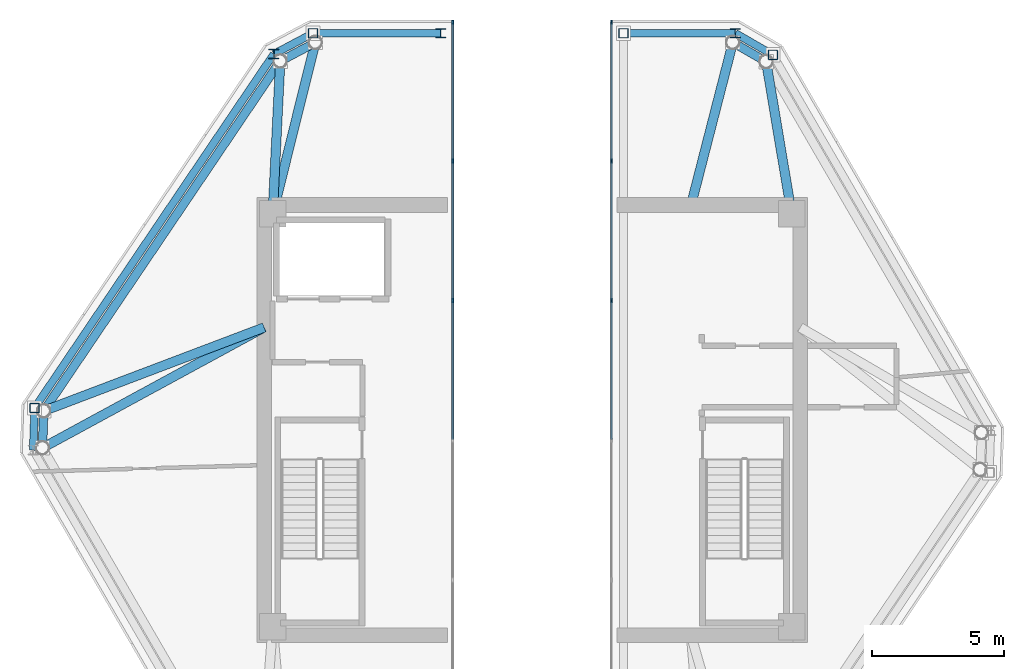
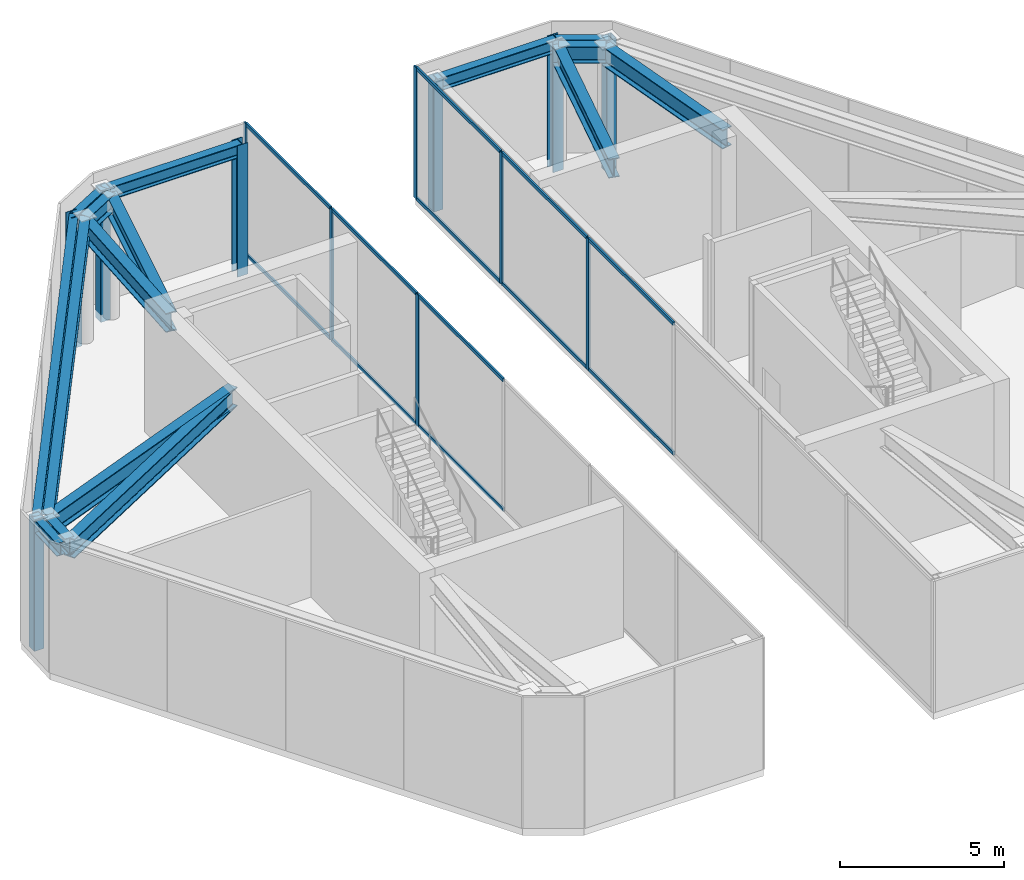
# One storey, part 4 of 8: 25 members, 16 beams, 2 elements without a shape of their own.
"""IFC4 building model written with IfcOpenShell, lengths in metres."""

from ifc_helpers import new_model, si_unit, direction, frame, origin, origin_2d, place, context, subcontext, project, spatial, rectangle, hollow_rectangle, i_section, extrude, source, transform, mapped, material, layer, layer_set, material_profile, profile_set, type_object, type_shapes, element, aggregate, save


model = new_model("IFC4")

# Units and contexts
model_context = context("Model", 3, precision=1e-05, world=origin(), true_north=direction((0.0, 1.0)))
body_context = subcontext(model_context, "Body", "Model", "MODEL_VIEW")
ifc_project = project(units=[si_unit("LENGTHUNIT", "METRE"), si_unit("AREAUNIT", "SQUARE_METRE"), si_unit("VOLUMEUNIT", "CUBIC_METRE"), si_unit("PLANEANGLEUNIT", "RADIAN"), si_unit("MASSUNIT", "GRAM", prefix="KILO")], contexts=[model_context])

# Site, building, storey
site_placement = place(None, origin())
site = spatial("IfcSite", under=ifc_project, at=site_placement, CompositionType="ELEMENT")
building_placement = place(site_placement, origin())
building = spatial("IfcBuilding", under=site, at=building_placement, Name="Durnholm Broadcast Tower", CompositionType="ELEMENT")
storey_placement = place(building_placement, frame((0.0, 0.0, 282.10009765625)))
storey = spatial("IfcBuildingStorey", under=building, at=storey_placement, Name="L78", CompositionType="ELEMENT", Elevation=282.10009765625)

# Beams
ifc_material_1 = material(Name="Steel ASTM A992 Grade 50", Category="steel")
ifc_material_profile_1 = material_profile(ifc_material_1, i_section(OverallWidth=0.3251953125, OverallDepth=0.6162109375, WebThickness=0.013916015625, FlangeThickness=0.021484375, FilletRadius=0.02783203125, at=origin_2d()), Name="W24X117")
ifc_profile_set_1 = profile_set([ifc_material_profile_1], Name="Steel ASTM A992 Grade 50")
beam_type_1 = type_object("IfcBeamType", Name="STL-SP-W24X117", PredefinedType="SPANDREL", material=ifc_profile_set_1)
shared_shape_1 = source(origin(), body_context, "Body", "SweptSolid", [
    extrude(i_section(OverallWidth=0.3251953125, OverallDepth=0.6162109375, WebThickness=0.013916015625, FlangeThickness=0.021484375, FilletRadius=0.02783203125, at=origin_2d()), origin(), (0.0, 0.0, 1.0), 1.39453125),
])
beam_1_placement = place(storey_placement, frame((-18.494384765625, -1.0478515625, 4.296875), z_axis=(0.034486393061, 0.999405167434, 0.0), x_axis=(-0.999405167434, 0.034486393061, 0.0)))
element("IfcBeam", 1, at=beam_1_placement, inside=storey, type_object=beam_type_1, Name="L78 perimeter spandrel girder 02", PredefinedType="SPANDREL", context=body_context, shape_type="MappedRepresentation", body=[
    mapped(shared_shape_1, transform((0.0, 0.0, 0.0), x_axis=(1.0, 0.0, 0.0), y_axis=(0.0, 1.0, 0.0), z_axis=(0.0, 0.0, 1.0), scale=1.0)),
])
shared_shape_2 = source(origin(), body_context, "Body", "SweptSolid", [
    extrude(i_section(OverallWidth=0.3251953125, OverallDepth=0.6162109375, WebThickness=0.013916015625, FlangeThickness=0.021484375, FilletRadius=0.02783203125, at=origin_2d()), origin(), (0.0, 0.0, 1.0), 15.947265625),
])
beam_2_placement = place(storey_placement, frame((-18.4462890625, 0.345947265625, 4.296875), z_axis=(0.560062212489, 0.828450552623, 0.0), x_axis=(-0.828450552623, 0.560062212489, 0.0)))
element("IfcBeam", 2, at=beam_2_placement, inside=storey, type_object=beam_type_1, Name="L78 perimeter spandrel girder 03", PredefinedType="SPANDREL", context=body_context, shape_type="MappedRepresentation", body=[
    mapped(shared_shape_2, transform((0.0, 0.0, 0.0), x_axis=(1.0, 0.0, 0.0), y_axis=(0.0, 1.0, 0.0), z_axis=(0.0, 0.0, 1.0), scale=1.0)),
])
shared_shape_3 = source(origin(), body_context, "Body", "SweptSolid", [
    extrude(i_section(OverallWidth=0.3251953125, OverallDepth=0.6162109375, WebThickness=0.013916015625, FlangeThickness=0.021484375, FilletRadius=0.02783203125, at=origin_2d()), origin(), (0.0, 0.0, 1.0), 1.502685546875),
])
beam_3_placement = place(storey_placement, frame((-9.514892578125, 13.557373046875, 4.296875), z_axis=(0.883241909673, 0.468917614296, 0.0), x_axis=(-0.468917614296, 0.883241909673, 0.0)))
element("IfcBeam", 3, at=beam_3_placement, inside=storey, type_object=beam_type_1, Name="L78 perimeter spandrel girder 04", PredefinedType="SPANDREL", context=body_context, shape_type="MappedRepresentation", body=[
    mapped(shared_shape_3, transform((0.0, 0.0, 0.0), x_axis=(1.0, 0.0, 0.0), y_axis=(0.0, 1.0, 0.0), z_axis=(0.0, 0.0, 1.0), scale=1.0)),
])
shared_shape_4 = source(origin(), body_context, "Body", "SweptSolid", [
    extrude(i_section(OverallWidth=0.3251953125, OverallDepth=0.6162109375, WebThickness=0.013916015625, FlangeThickness=0.021484375, FilletRadius=0.02783203125, at=origin_2d()), origin(), (0.0, 0.0, 1.0), 1.451416015625),
])
type_shapes(beam_type_1, [shared_shape_1, shared_shape_2, shared_shape_3, shared_shape_4])
beam_4_placement = place(storey_placement, frame((7.57958984375, 14.261962890625, 4.296875), z_axis=(0.866571760088, -0.499052486836, 0.0), x_axis=(0.499052486836, 0.866571760088, 0.0)))
element("IfcBeam", 4, at=beam_4_placement, inside=storey, type_object=beam_type_1, Name="L78 perimeter spandrel girder 06", PredefinedType="SPANDREL", context=body_context, shape_type="MappedRepresentation", body=[
    mapped(shared_shape_4, transform((0.0, 0.0, 0.0), x_axis=(1.0, 0.0, 0.0), y_axis=(0.0, 1.0, 0.0), z_axis=(0.0, 0.0, 1.0), scale=1.0)),
])
ifc_material_profile_2 = material_profile(ifc_material_1, i_section(OverallWidth=0.3564453125, OverallDepth=0.713623046875, WebThickness=0.01904296875, FlangeThickness=0.033935546875, FilletRadius=0.030517578125, at=origin_2d()), Name="W27X194")
ifc_profile_set_2 = profile_set([ifc_material_profile_2], Name="Steel ASTM A992 Grade 50")
beam_type_2 = type_object("IfcBeamType", Name="STL-GR-W27X194", PredefinedType="USERDEFINED", material=ifc_profile_set_2)
shared_shape_5 = source(origin(), body_context, "Body", "SweptSolid", [
    extrude(i_section(OverallWidth=0.3564453125, OverallDepth=0.713623046875, WebThickness=0.01904296875, FlangeThickness=0.033935546875, FilletRadius=0.030517578125, at=origin_2d()), origin(), (0.0, 0.0, 1.0), 5.764404296875),
])
beam_5_placement = place(storey_placement, frame((-9.800048828125, 7.800048828125, 4.248046875), z_axis=(0.049468662109, 0.99877567625, 0.0), x_axis=(-0.99877567625, 0.049468662109, 0.0)))
element("IfcBeam", 5, at=beam_5_placement, inside=storey, type_object=beam_type_2, Name="L78 radial primary floor girder 04", ObjectType="GIRDER", PredefinedType="USERDEFINED", context=body_context, shape_type="MappedRepresentation", body=[
    mapped(shared_shape_5, transform((0.0, 0.0, 0.0), x_axis=(1.0, 0.0, 0.0), y_axis=(0.0, 1.0, 0.0), z_axis=(0.0, 0.0, 1.0), scale=1.0)),
])
shared_shape_6 = source(origin(), body_context, "Body", "SweptSolid", [
    extrude(i_section(OverallWidth=0.3564453125, OverallDepth=0.713623046875, WebThickness=0.01904296875, FlangeThickness=0.033935546875, FilletRadius=0.030517578125, at=origin_2d()), origin(), (0.0, 0.0, 1.0), 9.525146484375),
])
beam_6_placement = place(storey_placement, frame((-10.125, 3.5, 4.248046875), z_axis=(-0.878656534666, -0.477454389538, 0.0), x_axis=(0.477454389538, -0.878656534666, 0.0)))
element("IfcBeam", 6, at=beam_6_placement, inside=storey, type_object=beam_type_2, Name="L78 radial primary floor girder 02", ObjectType="GIRDER", PredefinedType="USERDEFINED", context=body_context, shape_type="MappedRepresentation", body=[
    mapped(shared_shape_6, transform((0.0, 0.0, 0.0), x_axis=(1.0, 0.0, 0.0), y_axis=(0.0, 1.0, 0.0), z_axis=(0.0, 0.0, 1.0), scale=1.0)),
])
shared_shape_7 = source(origin(), body_context, "Body", "SweptSolid", [
    extrude(i_section(OverallWidth=0.3564453125, OverallDepth=0.713623046875, WebThickness=0.01904296875, FlangeThickness=0.033935546875, FilletRadius=0.030517578125, at=origin_2d()), origin(), (0.0, 0.0, 1.0), 8.89892578125),
])
beam_7_placement = place(storey_placement, frame((-10.125, 3.5, 4.248046875), z_axis=(-0.935083139703, -0.354428443898, 0.0), x_axis=(0.354428443898, -0.935083139703, 0.0)))
element("IfcBeam", 7, at=beam_7_placement, inside=storey, type_object=beam_type_2, Name="L78 radial primary floor girder 03", ObjectType="GIRDER", PredefinedType="USERDEFINED", context=body_context, shape_type="MappedRepresentation", body=[
    mapped(shared_shape_7, transform((0.0, 0.0, 0.0), x_axis=(1.0, 0.0, 0.0), y_axis=(0.0, 1.0, 0.0), z_axis=(0.0, 0.0, 1.0), scale=1.0)),
])
shared_shape_8 = source(origin(), body_context, "Body", "SweptSolid", [
    extrude(i_section(OverallWidth=0.3564453125, OverallDepth=0.713623046875, WebThickness=0.01904296875, FlangeThickness=0.033935546875, FilletRadius=0.030517578125, at=origin_2d()), origin(), (0.0, 0.0, 1.0), 6.659912109375),
])
beam_8_placement = place(storey_placement, frame((-9.800048828125, 7.800048828125, 4.248046875), z_axis=(0.242087082058, 0.97025452573, 0.0), x_axis=(-0.97025452573, 0.242087082058, 0.0)))
element("IfcBeam", 8, at=beam_8_placement, inside=storey, type_object=beam_type_2, Name="L78 radial primary floor girder 05", ObjectType="GIRDER", PredefinedType="USERDEFINED", context=body_context, shape_type="MappedRepresentation", body=[
    mapped(shared_shape_8, transform((0.0, 0.0, 0.0), x_axis=(1.0, 0.0, 0.0), y_axis=(0.0, 1.0, 0.0), z_axis=(0.0, 0.0, 1.0), scale=1.0)),
])
shared_shape_9 = source(origin(), body_context, "Body", "SweptSolid", [
    extrude(i_section(OverallWidth=0.3564453125, OverallDepth=0.713623046875, WebThickness=0.01904296875, FlangeThickness=0.033935546875, FilletRadius=0.030517578125, at=origin_2d()), origin(), (0.0, 0.0, 1.0), 6.3369140625),
])
beam_9_placement = place(storey_placement, frame((6.0, 8.125, 4.248046875), z_axis=(0.249265081504, 0.968435294247, 0.0), x_axis=(-0.968435294247, 0.249265081504, 0.0)))
element("IfcBeam", 9, at=beam_9_placement, inside=storey, type_object=beam_type_2, Name="L78 radial primary floor girder 06", ObjectType="GIRDER", PredefinedType="USERDEFINED", context=body_context, shape_type="MappedRepresentation", body=[
    mapped(shared_shape_9, transform((0.0, 0.0, 0.0), x_axis=(1.0, 0.0, 0.0), y_axis=(0.0, 1.0, 0.0), z_axis=(0.0, 0.0, 1.0), scale=1.0)),
])
shared_shape_10 = source(origin(), body_context, "Body", "SweptSolid", [
    extrude(i_section(OverallWidth=0.3564453125, OverallDepth=0.713623046875, WebThickness=0.01904296875, FlangeThickness=0.033935546875, FilletRadius=0.030517578125, at=origin_2d()), origin(), (0.0, 0.0, 1.0), 5.817626953125),
])
type_shapes(beam_type_2, [shared_shape_5, shared_shape_6, shared_shape_7, shared_shape_8, shared_shape_9, shared_shape_10])
beam_10_placement = place(storey_placement, frame((9.800048828125, 7.800048828125, 4.248046875), z_axis=(-0.16546729255, 0.986215278271, 0.0), x_axis=(-0.986215278271, -0.16546729255, 0.0)))
element("IfcBeam", 10, at=beam_10_placement, inside=storey, type_object=beam_type_2, Name="L78 radial primary floor girder 07", ObjectType="GIRDER", PredefinedType="USERDEFINED", context=body_context, shape_type="MappedRepresentation", body=[
    mapped(shared_shape_10, transform((0.0, 0.0, 0.0), x_axis=(1.0, 0.0, 0.0), y_axis=(0.0, 1.0, 0.0), z_axis=(0.0, 0.0, 1.0), scale=1.0)),
])
ifc_material_profile_3 = material_profile(ifc_material_1, i_section(OverallWidth=0.2861328125, OverallDepth=0.481689453125, WebThickness=0.0166015625, FlangeThickness=0.02685546875, FilletRadius=0.02294921875, at=origin_2d()), Name="W18X119")
ifc_profile_set_3 = profile_set([ifc_material_profile_3], Name="Steel ASTM A992 Grade 50")
beam_type_3 = type_object("IfcBeamType", Name="STL-BM-W18X119", PredefinedType="BEAM", material=ifc_profile_set_3)
shared_shape_11 = source(origin(), body_context, "Body", "SweptSolid", [
    extrude(i_section(OverallWidth=0.2861328125, OverallDepth=0.481689453125, WebThickness=0.0166015625, FlangeThickness=0.02685546875, FilletRadius=0.02294921875, at=origin_2d()), origin(), (0.0, 0.0, 1.0), 4.824951171875),
])
beam_11_placement = place(storey_placement, frame((-3.449951171875, 14.612060546875, 4.364013671875), z_axis=(-1.0, 0.0, 0.0), x_axis=(0.0, -1.0, 0.0)))
element("IfcBeam", 11, at=beam_11_placement, inside=storey, type_object=beam_type_3, Name="L78 W split-crown frame ring beam 4", PredefinedType="SPANDREL", context=body_context, shape_type="MappedRepresentation", body=[
    mapped(shared_shape_11, transform((0.0, 0.0, 0.0), x_axis=(1.0, 0.0, 0.0), y_axis=(0.0, 1.0, 0.0), z_axis=(0.0, 0.0, 1.0), scale=1.0)),
])
shared_shape_12 = source(origin(), body_context, "Body", "SweptSolid", [
    extrude(i_section(OverallWidth=0.2861328125, OverallDepth=0.481689453125, WebThickness=0.0166015625, FlangeThickness=0.02685546875, FilletRadius=0.02294921875, at=origin_2d()), origin(), (0.0, 0.0, 1.0), 1.677001953125),
])
beam_12_placement = place(storey_placement, frame((-8.27490234375, 14.612060546875, 4.364013671875), z_axis=(-0.883181677965, -0.469031047701, 0.0), x_axis=(0.469031047701, -0.883181677965, 0.0)))
element("IfcBeam", 12, at=beam_12_placement, inside=storey, type_object=beam_type_3, Name="L78 W split-crown frame ring beam 5", PredefinedType="SPANDREL", context=body_context, shape_type="MappedRepresentation", body=[
    mapped(shared_shape_12, transform((0.0, 0.0, 0.0), x_axis=(1.0, 0.0, 0.0), y_axis=(0.0, 1.0, 0.0), z_axis=(0.0, 0.0, 1.0), scale=1.0)),
])
shared_shape_13 = source(origin(), body_context, "Body", "SweptSolid", [
    extrude(i_section(OverallWidth=0.2861328125, OverallDepth=0.481689453125, WebThickness=0.0166015625, FlangeThickness=0.02685546875, FilletRadius=0.02294921875, at=origin_2d()), origin(), (0.0, 0.0, 1.0), 16.135009765625),
])
beam_13_placement = place(storey_placement, frame((-9.756103515625, 13.825439453125, 4.364013671875), z_axis=(-0.560066005193, -0.828447988607, 0.0), x_axis=(0.828447988607, -0.560066005193, 0.0)))
element("IfcBeam", 13, at=beam_13_placement, inside=storey, type_object=beam_type_3, Name="L78 W split-crown frame ring beam 6", PredefinedType="SPANDREL", context=body_context, shape_type="MappedRepresentation", body=[
    mapped(shared_shape_13, transform((0.0, 0.0, 0.0), x_axis=(1.0, 0.0, 0.0), y_axis=(0.0, 1.0, 0.0), z_axis=(0.0, 0.0, 1.0), scale=1.0)),
])
shared_shape_14 = source(origin(), body_context, "Body", "SweptSolid", [
    extrude(i_section(OverallWidth=0.2861328125, OverallDepth=0.481689453125, WebThickness=0.0166015625, FlangeThickness=0.02685546875, FilletRadius=0.02294921875, at=origin_2d()), origin(), (0.0, 0.0, 1.0), 1.595947265625),
])
beam_14_placement = place(storey_placement, frame((-18.792724609375, 0.45849609375, 4.364013671875), z_axis=(-0.034267326711, -0.999412702701, 0.0), x_axis=(0.999412702701, -0.034267326711, 0.0)))
element("IfcBeam", 14, at=beam_14_placement, inside=storey, type_object=beam_type_3, Name="L78 W split-crown frame ring beam 7", PredefinedType="SPANDREL", context=body_context, shape_type="MappedRepresentation", body=[
    mapped(shared_shape_14, transform((0.0, 0.0, 0.0), x_axis=(1.0, 0.0, 0.0), y_axis=(0.0, 1.0, 0.0), z_axis=(0.0, 0.0, 1.0), scale=1.0)),
])
shared_shape_15 = source(origin(), body_context, "Body", "SweptSolid", [
    extrude(i_section(OverallWidth=0.2861328125, OverallDepth=0.481689453125, WebThickness=0.0166015625, FlangeThickness=0.02685546875, FilletRadius=0.02294921875, at=origin_2d()), origin(), (0.0, 0.0, 1.0), 1.638671875),
])
beam_15_placement = place(storey_placement, frame((9.09326171875, 13.794189453125, 4.364013671875), z_axis=(-0.866532637126, 0.499120415126, 0.0), x_axis=(-0.499120415126, -0.866532637126, 0.0)))
element("IfcBeam", 15, at=beam_15_placement, inside=storey, type_object=beam_type_3, Name="L78 E split-crown frame ring beam 7", PredefinedType="SPANDREL", context=body_context, shape_type="MappedRepresentation", body=[
    mapped(shared_shape_15, transform((0.0, 0.0, 0.0), x_axis=(1.0, 0.0, 0.0), y_axis=(0.0, 1.0, 0.0), z_axis=(0.0, 0.0, 1.0), scale=1.0)),
])
shared_shape_16 = source(origin(), body_context, "Body", "SweptSolid", [
    extrude(i_section(OverallWidth=0.2861328125, OverallDepth=0.481689453125, WebThickness=0.0166015625, FlangeThickness=0.02685546875, FilletRadius=0.02294921875, at=origin_2d()), origin(), (0.0, 0.0, 1.0), 4.223388671875),
])
type_shapes(beam_type_3, [shared_shape_11, shared_shape_12, shared_shape_13, shared_shape_14, shared_shape_15, shared_shape_16])
beam_16_placement = place(storey_placement, frame((7.67333984375, 14.612060546875, 4.364013671875), z_axis=(-1.0, 0.0, 0.0), x_axis=(0.0, -1.0, 0.0)))
element("IfcBeam", 16, at=beam_16_placement, inside=storey, type_object=beam_type_3, Name="L78 E split-crown frame ring beam 8", PredefinedType="SPANDREL", context=body_context, shape_type="MappedRepresentation", body=[
    mapped(shared_shape_16, transform((0.0, 0.0, 0.0), x_axis=(1.0, 0.0, 0.0), y_axis=(0.0, 1.0, 0.0), z_axis=(0.0, 0.0, 1.0), scale=1.0)),
])

# Members
ifc_material_2 = material(Name="Steel ASTM A500 Grade C", Category="steel")
ifc_material_profile_4 = material_profile(ifc_material_2, hollow_rectangle(XDim=0.355712890625, YDim=0.355712890625, WallThickness=0.01171875, InnerFilletRadius=0.017578125, OuterFilletRadius=0.029541015625, at=origin_2d()), Name="HSS14X14X1/2")
ifc_profile_set_4 = profile_set([ifc_material_profile_4], Name="Steel ASTM A500 Grade C")
member_type_1 = type_object("IfcMemberType", Name="STL-CF-HSS14X14", PredefinedType="USERDEFINED", material=ifc_profile_set_4)
shared_shape_17 = source(origin(), body_context, "Body", "SweptSolid", [
    extrude(hollow_rectangle(XDim=0.355712890625, YDim=0.355712890625, WallThickness=0.01171875, InnerFilletRadius=0.017578125, OuterFilletRadius=0.029541015625, at=origin_2d()), origin(), (0.0, 0.0, 1.0), 4.89990234375),
])
type_shapes(member_type_1, [shared_shape_17])
for number, where, z_axis, x_axis, name in (
    (17, (-8.27490234375, 14.612060546875, -0.280029296875), (0.0, 0.0, 1.0), (1.0, 0.0, 0.0), "L78 W split-crown frame post 5"),
    (18, (-18.792724609375, 0.45849609375, -0.280029296875), (0.0, 0.0, 1.0), (1.0, 0.0, 0.0), "L78 W split-crown frame post 7"),
    (19, (3.449951171875, 14.612060546875, -0.280029296875), (0.0, 0.0, 1.0), (1.0, 0.0, 0.0), "L78 E split-crown frame post 1"),
    (20, (9.09326171875, 13.794189453125, -0.280029296875), (0.0, 0.0, 1.0), (1.0, 0.0, 0.0), "L78 E split-crown frame post 7"),
):
    element("IfcMember", number, at=place(storey_placement, frame(where, z_axis=z_axis, x_axis=x_axis)), inside=storey, type_object=member_type_1, Name=name, ObjectType="CROWN FRAME", PredefinedType="USERDEFINED", context=body_context, shape_type="MappedRepresentation", body=[
        mapped(shared_shape_17, transform((0.0, 0.0, 0.0), x_axis=(1.0, 0.0, 0.0), y_axis=(0.0, 1.0, 0.0), z_axis=(0.0, 0.0, 1.0), scale=1.0)),
    ])
ifc_material_profile_5 = material_profile(ifc_material_1, i_section(OverallWidth=0.368896484375, OverallDepth=0.356201171875, WebThickness=0.01123046875, FlangeThickness=0.01806640625, FilletRadius=0.030517578125, at=origin_2d()), Name="W14X90")
ifc_profile_set_5 = profile_set([ifc_material_profile_5], Name="Steel ASTM A992 Grade 50")
member_type_2 = type_object("IfcMemberType", Name="STL-CF-W14X90", PredefinedType="USERDEFINED", material=ifc_profile_set_5)
shared_shape_18 = source(origin(), body_context, "Body", "SweptSolid", [
    extrude(i_section(OverallWidth=0.368896484375, OverallDepth=0.356201171875, WebThickness=0.01123046875, FlangeThickness=0.01806640625, FilletRadius=0.030517578125, at=origin_2d()), origin(), (0.0, 0.0, 1.0), 4.89990234375),
])
type_shapes(member_type_2, [shared_shape_18])
for number, where, z_axis, x_axis, name in (
    (21, (-3.449951171875, 14.612060546875, -0.280029296875), (0.0, 0.0, 1.0), (1.0, 0.0, 0.0), "L78 W split-crown frame post 4"),
    (22, (-9.756103515625, 13.825439453125, -0.280029296875), (0.0, 0.0, 1.0), (1.0, 0.0, 0.0), "L78 W split-crown frame post 6"),
    (23, (7.67333984375, 14.612060546875, -0.280029296875), (0.0, 0.0, 1.0), (1.0, 0.0, 0.0), "L78 E split-crown frame post 8"),
):
    element("IfcMember", number, at=place(storey_placement, frame(where, z_axis=z_axis, x_axis=x_axis)), inside=storey, type_object=member_type_2, Name=name, ObjectType="CROWN FRAME", PredefinedType="USERDEFINED", context=body_context, shape_type="MappedRepresentation", body=[
        mapped(shared_shape_18, transform((0.0, 0.0, 0.0), x_axis=(1.0, 0.0, 0.0), y_axis=(0.0, 1.0, 0.0), z_axis=(0.0, 0.0, 1.0), scale=1.0)),
    ])

# Curtain wall, members
ifc_material_3 = material(Name="Aluminium and Solar Control IGU", Category="aluminium")
ifc_layer = layer(ifc_material_3, 0.1650390625)
ifc_layer_set = layer_set([ifc_layer], Name="Aluminium and Solar Control IGU")
curtain_wall_type = type_object("IfcCurtainWallType", Name="CW-SYS-7", PredefinedType="NOTDEFINED", material=ifc_layer_set)
curtain_wall_1_placement = place(storey_placement, origin())
curtain_wall_1 = element("IfcCurtainWall", 24, at=curtain_wall_1_placement, inside=storey, type_object=curtain_wall_type, Name="L78 curtain wall CW-CROWN CW-L78-W-5", PredefinedType="NOTDEFINED")
ifc_material_4 = material(Name="Aluminium 6063-T6", Category="aluminium")
ifc_material_profile_6 = material_profile(ifc_material_4, rectangle(XDim=0.06494140625, YDim=0.1298828125, at=origin_2d()), Name="CWT65X130")
ifc_profile_set_6 = profile_set([ifc_material_profile_6], Name="Aluminium 6063-T6")
member_type_3 = type_object("IfcMemberType", Name="CW-SYS-7-TRN", PredefinedType="USERDEFINED", material=ifc_profile_set_6)
shared_shape_19 = source(origin(), body_context, "Body", "SweptSolid", [
    extrude(rectangle(XDim=0.06494140625, YDim=0.1298828125, at=origin_2d()), origin(), (0.0, 0.0, 1.0), 5.17724609375),
])
member_1_placement = place(storey_placement, frame((-3.0, 14.9970703125, 0.032470703125), z_axis=(0.0, -1.0, 0.0), x_axis=(1.0, 0.0, 0.0)))
member_1 = element("IfcMember", 25, at=member_1_placement, type_object=member_type_3, Name="CW-CROWN transom 1.1", ObjectType="TRANSOM", PredefinedType="USERDEFINED", context=body_context, shape_type="MappedRepresentation", body=[
    mapped(shared_shape_19, transform((0.0, 0.0, 0.0), x_axis=(1.0, 0.0, 0.0), y_axis=(0.0, 1.0, 0.0), z_axis=(0.0, 0.0, 1.0), scale=1.0)),
])
member_2_placement = place(storey_placement, frame((-3.0, 14.9970703125, 4.867431640625), z_axis=(0.0, -1.0, 0.0), x_axis=(1.0, 0.0, 0.0)))
member_2 = element("IfcMember", 26, at=member_2_placement, type_object=member_type_3, Name="CW-CROWN transom 1.2", ObjectType="TRANSOM", PredefinedType="USERDEFINED", context=body_context, shape_type="MappedRepresentation", body=[
    mapped(shared_shape_19, transform((0.0, 0.0, 0.0), x_axis=(1.0, 0.0, 0.0), y_axis=(0.0, 1.0, 0.0), z_axis=(0.0, 0.0, 1.0), scale=1.0)),
])

curtain_wall_2_placement = place(storey_placement, origin())
curtain_wall_2 = element("IfcCurtainWall", 27, at=curtain_wall_2_placement, inside=storey, type_object=curtain_wall_type, Name="L78 curtain wall CW-CROWN CW-L78-E-7", PredefinedType="NOTDEFINED")
member_3_placement = place(storey_placement, frame((3.0, 9.81982421875, 0.032470703125), z_axis=(0.0, 1.0, 0.0), x_axis=(-1.0, 0.0, 0.0)))
member_3 = element("IfcMember", 28, at=member_3_placement, type_object=member_type_3, Name="CW-CROWN transom 6.1", ObjectType="TRANSOM", PredefinedType="USERDEFINED", context=body_context, shape_type="MappedRepresentation", body=[
    mapped(shared_shape_19, transform((0.0, 0.0, 0.0), x_axis=(1.0, 0.0, 0.0), y_axis=(0.0, 1.0, 0.0), z_axis=(0.0, 0.0, 1.0), scale=1.0)),
])
member_4_placement = place(storey_placement, frame((3.0, 9.81982421875, 4.867431640625), z_axis=(0.0, 1.0, 0.0), x_axis=(-1.0, 0.0, 0.0)))
member_4 = element("IfcMember", 29, at=member_4_placement, type_object=member_type_3, Name="CW-CROWN transom 6.2", ObjectType="TRANSOM", PredefinedType="USERDEFINED", context=body_context, shape_type="MappedRepresentation", body=[
    mapped(shared_shape_19, transform((0.0, 0.0, 0.0), x_axis=(1.0, 0.0, 0.0), y_axis=(0.0, 1.0, 0.0), z_axis=(0.0, 0.0, 1.0), scale=1.0)),
])

# Member
shared_shape_20 = source(origin(), body_context, "Body", "SweptSolid", [
    extrude(rectangle(XDim=0.06494140625, YDim=0.1298828125, at=origin_2d()), origin(), (0.0, 0.0, 1.0), 5.209716796875),
])
type_shapes(member_type_3, [shared_shape_19, shared_shape_20])
member_5_placement = place(storey_placement, frame((-3.0, 9.7548828125, 0.032470703125), z_axis=(0.0, -1.0, 0.0), x_axis=(1.0, 0.0, 0.0)))
member_5 = element("IfcMember", 30, at=member_5_placement, type_object=member_type_3, Name="CW-CROWN transom 2.1", ObjectType="TRANSOM", PredefinedType="USERDEFINED", context=body_context, shape_type="MappedRepresentation", body=[
    mapped(shared_shape_20, transform((0.0, 0.0, 0.0), x_axis=(1.0, 0.0, 0.0), y_axis=(0.0, 1.0, 0.0), z_axis=(0.0, 0.0, 1.0), scale=1.0)),
])

member_6_placement = place(storey_placement, frame((-3.0, 9.7548828125, 4.867431640625), z_axis=(0.0, -1.0, 0.0), x_axis=(1.0, 0.0, 0.0)))
member_6 = element("IfcMember", 31, at=member_6_placement, type_object=member_type_3, Name="CW-CROWN transom 2.2", ObjectType="TRANSOM", PredefinedType="USERDEFINED", context=body_context, shape_type="MappedRepresentation", body=[
    mapped(shared_shape_20, transform((0.0, 0.0, 0.0), x_axis=(1.0, 0.0, 0.0), y_axis=(0.0, 1.0, 0.0), z_axis=(0.0, 0.0, 1.0), scale=1.0)),
])

member_7_placement = place(storey_placement, frame((-3.0, 4.480224609375, 0.032470703125), z_axis=(0.0, -1.0, 0.0), x_axis=(1.0, 0.0, 0.0)))
member_7 = element("IfcMember", 32, at=member_7_placement, type_object=member_type_3, Name="CW-CROWN transom 3.1", ObjectType="TRANSOM", PredefinedType="USERDEFINED", context=body_context, shape_type="MappedRepresentation", body=[
    mapped(shared_shape_20, transform((0.0, 0.0, 0.0), x_axis=(1.0, 0.0, 0.0), y_axis=(0.0, 1.0, 0.0), z_axis=(0.0, 0.0, 1.0), scale=1.0)),
])

member_8_placement = place(storey_placement, frame((-3.0, 4.480224609375, 4.867431640625), z_axis=(0.0, -1.0, 0.0), x_axis=(1.0, 0.0, 0.0)))
member_8 = element("IfcMember", 33, at=member_8_placement, type_object=member_type_3, Name="CW-CROWN transom 3.2", ObjectType="TRANSOM", PredefinedType="USERDEFINED", context=body_context, shape_type="MappedRepresentation", body=[
    mapped(shared_shape_20, transform((0.0, 0.0, 0.0), x_axis=(1.0, 0.0, 0.0), y_axis=(0.0, 1.0, 0.0), z_axis=(0.0, 0.0, 1.0), scale=1.0)),
])

member_9_placement = place(storey_placement, frame((3.0, -0.7294921875, 0.032470703125), z_axis=(0.0, 1.0, 0.0), x_axis=(-1.0, 0.0, 0.0)))
member_9 = element("IfcMember", 34, at=member_9_placement, type_object=member_type_3, Name="CW-CROWN transom 4.1", ObjectType="TRANSOM", PredefinedType="USERDEFINED", context=body_context, shape_type="MappedRepresentation", body=[
    mapped(shared_shape_20, transform((0.0, 0.0, 0.0), x_axis=(1.0, 0.0, 0.0), y_axis=(0.0, 1.0, 0.0), z_axis=(0.0, 0.0, 1.0), scale=1.0)),
])

member_10_placement = place(storey_placement, frame((3.0, -0.7294921875, 4.867431640625), z_axis=(0.0, 1.0, 0.0), x_axis=(-1.0, 0.0, 0.0)))
member_10 = element("IfcMember", 35, at=member_10_placement, type_object=member_type_3, Name="CW-CROWN transom 4.2", ObjectType="TRANSOM", PredefinedType="USERDEFINED", context=body_context, shape_type="MappedRepresentation", body=[
    mapped(shared_shape_20, transform((0.0, 0.0, 0.0), x_axis=(1.0, 0.0, 0.0), y_axis=(0.0, 1.0, 0.0), z_axis=(0.0, 0.0, 1.0), scale=1.0)),
])

member_11_placement = place(storey_placement, frame((3.0, 4.545166015625, 0.032470703125), z_axis=(0.0, 1.0, 0.0), x_axis=(-1.0, 0.0, 0.0)))
member_11 = element("IfcMember", 36, at=member_11_placement, type_object=member_type_3, Name="CW-CROWN transom 5.1", ObjectType="TRANSOM", PredefinedType="USERDEFINED", context=body_context, shape_type="MappedRepresentation", body=[
    mapped(shared_shape_20, transform((0.0, 0.0, 0.0), x_axis=(1.0, 0.0, 0.0), y_axis=(0.0, 1.0, 0.0), z_axis=(0.0, 0.0, 1.0), scale=1.0)),
])

member_12_placement = place(storey_placement, frame((3.0, 4.545166015625, 4.867431640625), z_axis=(0.0, 1.0, 0.0), x_axis=(-1.0, 0.0, 0.0)))
member_12 = element("IfcMember", 37, at=member_12_placement, type_object=member_type_3, Name="CW-CROWN transom 5.2", ObjectType="TRANSOM", PredefinedType="USERDEFINED", context=body_context, shape_type="MappedRepresentation", body=[
    mapped(shared_shape_20, transform((0.0, 0.0, 0.0), x_axis=(1.0, 0.0, 0.0), y_axis=(0.0, 1.0, 0.0), z_axis=(0.0, 0.0, 1.0), scale=1.0)),
])

ifc_material_profile_7 = material_profile(ifc_material_4, rectangle(XDim=0.06494140625, YDim=0.1650390625, at=origin_2d()), Name="CWM65X165")
ifc_profile_set_7 = profile_set([ifc_material_profile_7], Name="Aluminium 6063-T6")
member_type_4 = type_object("IfcMemberType", Name="CW-SYS-7-MUL", PredefinedType="MULLION", material=ifc_profile_set_7)
shared_shape_21 = source(origin(), body_context, "Body", "SweptSolid", [
    extrude(rectangle(XDim=0.06494140625, YDim=0.1650390625, at=origin_2d()), origin(), (0.0, 0.0, 1.0), 4.89990234375),
])
type_shapes(member_type_4, [shared_shape_21])
member_13_placement = place(storey_placement, frame((-3.0, 15.029541015625, 0.0), z_axis=(0.0, 0.0, 1.0), x_axis=(1.0, 0.0, 0.0)))
member_13 = element("IfcMember", 38, at=member_13_placement, type_object=member_type_4, Name="CW-CROWN mullion 1", PredefinedType="MULLION", context=body_context, shape_type="MappedRepresentation", body=[
    mapped(shared_shape_21, transform((0.0, 0.0, 0.0), x_axis=(1.0, 0.0, 0.0), y_axis=(0.0, 1.0, 0.0), z_axis=(0.0, 0.0, 1.0), scale=1.0)),
])

member_14_placement = place(storey_placement, frame((-3.0, 9.787353515625, 0.0), z_axis=(0.0, 0.0, 1.0), x_axis=(1.0, 0.0, 0.0)))
member_14 = element("IfcMember", 39, at=member_14_placement, type_object=member_type_4, Name="CW-CROWN mullion 2", PredefinedType="MULLION", context=body_context, shape_type="MappedRepresentation", body=[
    mapped(shared_shape_21, transform((0.0, 0.0, 0.0), x_axis=(1.0, 0.0, 0.0), y_axis=(0.0, 1.0, 0.0), z_axis=(0.0, 0.0, 1.0), scale=1.0)),
])

member_15_placement = place(storey_placement, frame((-3.0, 4.5126953125, 0.0), z_axis=(0.0, 0.0, 1.0), x_axis=(1.0, 0.0, 0.0)))
member_15 = element("IfcMember", 40, at=member_15_placement, type_object=member_type_4, Name="CW-CROWN mullion 3", PredefinedType="MULLION", context=body_context, shape_type="MappedRepresentation", body=[
    mapped(shared_shape_21, transform((0.0, 0.0, 0.0), x_axis=(1.0, 0.0, 0.0), y_axis=(0.0, 1.0, 0.0), z_axis=(0.0, 0.0, 1.0), scale=1.0)),
])

aggregate(curtain_wall_1, [member_13, member_14, member_15, member_1, member_2, member_5, member_6, member_7, member_8])

member_16_placement = place(storey_placement, frame((3.0, 4.5126953125, 0.0), z_axis=(0.0, 0.0, 1.0), x_axis=(-1.0, 0.0, 0.0)))
member_16 = element("IfcMember", 41, at=member_16_placement, type_object=member_type_4, Name="CW-CROWN mullion 5", PredefinedType="MULLION", context=body_context, shape_type="MappedRepresentation", body=[
    mapped(shared_shape_21, transform((0.0, 0.0, 0.0), x_axis=(1.0, 0.0, 0.0), y_axis=(0.0, 1.0, 0.0), z_axis=(0.0, 0.0, 1.0), scale=1.0)),
])

member_17_placement = place(storey_placement, frame((3.0, 9.787353515625, 0.0), z_axis=(0.0, 0.0, 1.0), x_axis=(-1.0, 0.0, 0.0)))
member_17 = element("IfcMember", 42, at=member_17_placement, type_object=member_type_4, Name="CW-CROWN mullion 6", PredefinedType="MULLION", context=body_context, shape_type="MappedRepresentation", body=[
    mapped(shared_shape_21, transform((0.0, 0.0, 0.0), x_axis=(1.0, 0.0, 0.0), y_axis=(0.0, 1.0, 0.0), z_axis=(0.0, 0.0, 1.0), scale=1.0)),
])

member_18_placement = place(storey_placement, frame((3.0, 15.029541015625, 0.0), z_axis=(0.0, 0.0, 1.0), x_axis=(-1.0, 0.0, 0.0)))
member_18 = element("IfcMember", 43, at=member_18_placement, type_object=member_type_4, Name="CW-CROWN mullion 7", PredefinedType="MULLION", context=body_context, shape_type="MappedRepresentation", body=[
    mapped(shared_shape_21, transform((0.0, 0.0, 0.0), x_axis=(1.0, 0.0, 0.0), y_axis=(0.0, 1.0, 0.0), z_axis=(0.0, 0.0, 1.0), scale=1.0)),
])

aggregate(curtain_wall_2, [member_16, member_17, member_18, member_9, member_10, member_11, member_12, member_3, member_4])

save(model, "model.ifc")
